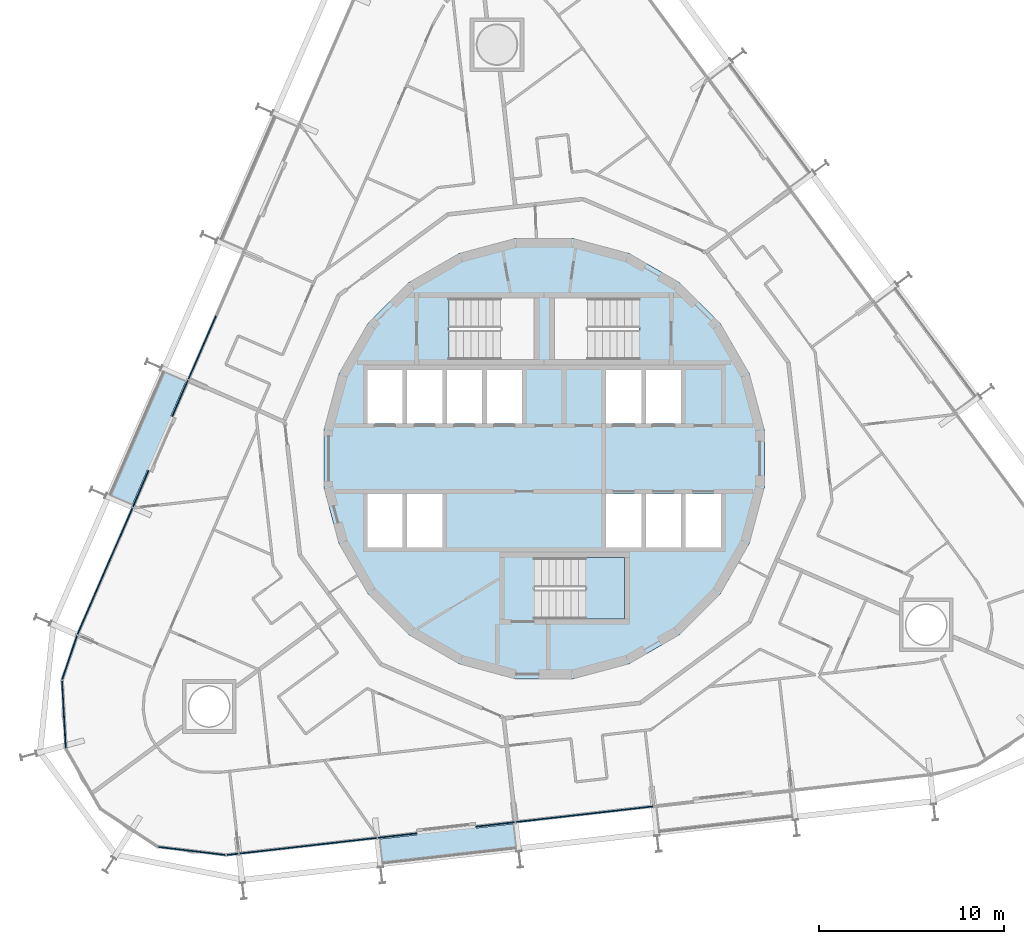
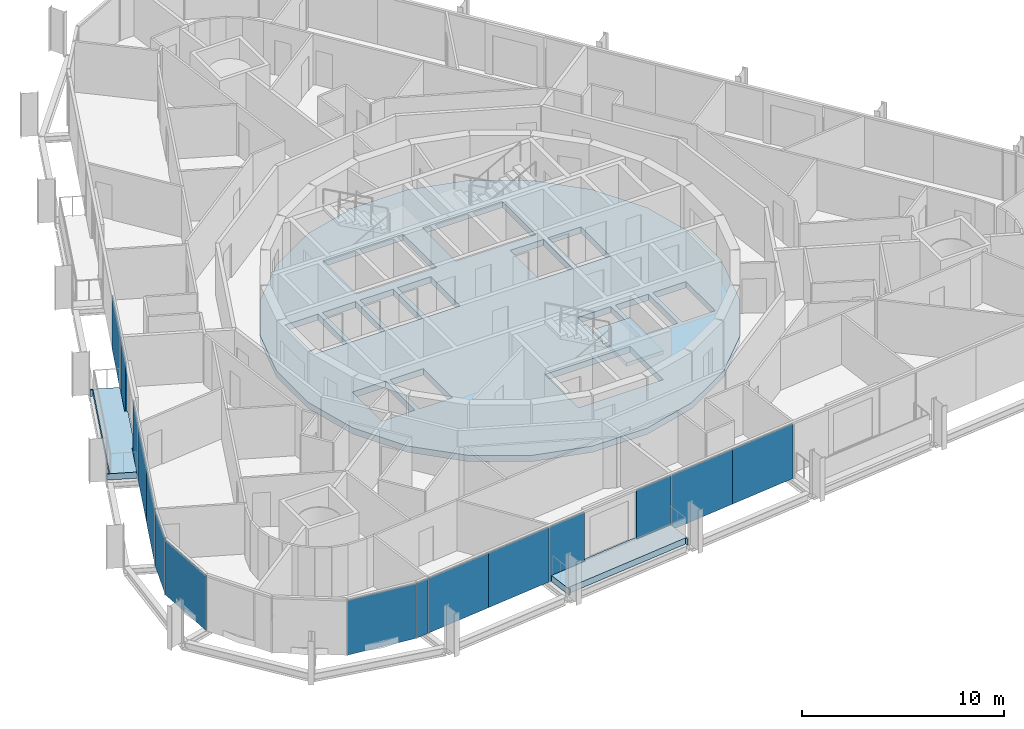
# One storey, part 13 of 23: 15 plates, 4 slabs, 4 elements without a shape of their own.
"""IFC4 building model written with IfcOpenShell, lengths in metres."""

from ifc_helpers import new_model, si_unit, direction, frame, origin, origin_2d, place, context, subcontext, project, spatial, polyline, rectangle, outline, extrude, material, layer, layer_set, type_object, element, aggregate, save


model = new_model("IFC4")

# Units and contexts
model_context = context("Model", 3, precision=1e-05, world=origin(), true_north=direction((0.0, 1.0)))
body_context = subcontext(model_context, "Body", "Model", "MODEL_VIEW")
ifc_project = project(units=[si_unit("LENGTHUNIT", "METRE"), si_unit("AREAUNIT", "SQUARE_METRE"), si_unit("VOLUMEUNIT", "CUBIC_METRE"), si_unit("PLANEANGLEUNIT", "RADIAN"), si_unit("MASSUNIT", "GRAM", prefix="KILO")], contexts=[model_context])

# Site, building, storey
site_placement = place(None, origin())
site = spatial("IfcSite", under=ifc_project, at=site_placement, CompositionType="ELEMENT")
building_placement = place(site_placement, origin())
building = spatial("IfcBuilding", under=site, at=building_placement, Name="Spindle Arch Residences", CompositionType="ELEMENT")
storey_placement = place(building_placement, frame((0.0, 0.0, 104.699951171875)))
storey = spatial("IfcBuildingStorey", under=building, at=storey_placement, Name="L25", CompositionType="ELEMENT", Elevation=104.699951171875)

# Slabs
ifc_material_1 = material(Name="Concrete C40/50", Category="concrete")
ifc_layer_1 = layer(ifc_material_1, 0.3798828125)
ifc_layer_set_1 = layer_set([ifc_layer_1], Name="Balcony slab 380")
slab_type_1 = type_object("IfcSlabType", Name="Balcony slab 380", PredefinedType="FLOOR", material=ifc_layer_set_1)
slab_1_placement = place(storey_placement, frame((0.0, 0.0, -0.3798828125)))
element("IfcSlab", 1, at=slab_1_placement, inside=storey, type_object=slab_type_1, Name="Balcony L25 bay 17", PredefinedType="FLOOR", context=body_context, shape_type="SweptSolid", body=[
    extrude(outline(polyline([(-20.702392578125, 4.820556640625), (-20.732421875, 4.751708984375), (-20.5947265625, 4.69189453125), (-23.47314453125, -1.92822265625), (-23.61083984375, -1.868408203125), (-23.640625, -1.937255859375), (-22.2744140625, -2.53125), (-21.443115234375, -0.619873046875), (-21.29638671875, -0.68359375), (-20.0205078125, 2.2509765625), (-20.167236328125, 2.314697265625), (-19.3359375, 4.226318359375), (-20.702392578125, 4.820556640625)])), origin(), (0.0, 0.0, 1.0), 0.3798828125),
])
slab_2_placement = place(storey_placement, frame((0.0, 0.0, -0.3798828125)))
element("IfcSlab", 2, at=slab_2_placement, inside=storey, type_object=slab_type_1, Name="Balcony L25 bay 23", PredefinedType="FLOOR", context=body_context, shape_type="SweptSolid", body=[
    extrude(outline(polyline([(-8.764404296875, -22.041259765625), (-8.68994140625, -22.032958984375), (-8.706787109375, -21.8837890625), (-1.534423828125, -21.066650390625), (-1.517578125, -21.215576171875), (-1.44287109375, -21.207275390625), (-1.611572265625, -19.726806640625), (-3.6826171875, -19.962646484375), (-3.70068359375, -19.8037109375), (-6.880126953125, -20.166015625), (-6.862060546875, -20.324951171875), (-8.93310546875, -20.56103515625), (-8.764404296875, -22.041259765625)])), origin(), (0.0, 0.0, 1.0), 0.3798828125),
])
ifc_material_2 = material(Name="Concrete C50/60", Category="concrete")
ifc_layer_2 = layer(ifc_material_2, 0.3798828125)
ifc_layer_set_2 = layer_set([ifc_layer_2], Name="Core floor slab 380")
slab_type_2 = type_object("IfcSlabType", Name="Core floor slab 380", PredefinedType="FLOOR", material=ifc_layer_set_2)
slab_3_placement = place(storey_placement, frame((0.0, 0.0, -0.3798828125)))
element("IfcSlab", 3, at=slab_3_placement, inside=storey, type_object=slab_type_2, Name="Core floor L25", PredefinedType="FLOOR", context=body_context, shape_type="SweptSolid", body=[
    extrude(outline(polyline([(1.56640625, -11.897216796875), (4.59228515625, -11.086669921875), (7.30517578125, -9.520263671875), (9.520263671875, -7.30517578125), (11.086669921875, -4.59228515625), (11.897216796875, -1.56640625), (11.897216796875, 1.56640625), (11.086669921875, 4.59228515625), (9.520263671875, 7.30517578125), (7.30517578125, 9.520263671875), (4.59228515625, 11.086669921875), (1.56640625, 11.897216796875), (-1.56640625, 11.897216796875), (-4.59228515625, 11.086669921875), (-7.30517578125, 9.520263671875), (-9.520263671875, 7.30517578125), (-11.086669921875, 4.59228515625), (-11.897216796875, 1.56640625), (-11.897216796875, -1.56640625), (-11.086669921875, -4.59228515625), (-9.520263671875, -7.30517578125), (-7.30517578125, -9.520263671875), (-4.59228515625, -11.086669921875), (-1.56640625, -11.897216796875), (1.56640625, -11.897216796875)]), holes=[polyline([(-9.550048828125, 1.89990234375), (-7.64990234375, 1.89990234375), (-7.64990234375, 4.800048828125), (-9.550048828125, 4.800048828125), (-9.550048828125, 1.89990234375)]), polyline([(-7.39990234375, 1.89990234375), (-5.5, 1.89990234375), (-5.5, 4.800048828125), (-7.39990234375, 4.800048828125), (-7.39990234375, 1.89990234375)]), polyline([(-5.25, 1.89990234375), (-3.35009765625, 1.89990234375), (-3.35009765625, 4.800048828125), (-5.25, 4.800048828125), (-5.25, 1.89990234375)]), polyline([(-3.10009765625, 1.89990234375), (-1.199951171875, 1.89990234375), (-1.199951171875, 4.800048828125), (-3.10009765625, 4.800048828125), (-3.10009765625, 1.89990234375)]), polyline([(3.35009765625, 1.89990234375), (5.25, 1.89990234375), (5.25, 4.800048828125), (3.35009765625, 4.800048828125), (3.35009765625, 1.89990234375)]), polyline([(5.5, 1.89990234375), (7.39990234375, 1.89990234375), (7.39990234375, 4.800048828125), (5.5, 4.800048828125), (5.5, 1.89990234375)]), polyline([(-9.550048828125, -4.800048828125), (-7.64990234375, -4.800048828125), (-7.64990234375, -1.89990234375), (-9.550048828125, -1.89990234375), (-9.550048828125, -4.800048828125)]), polyline([(-7.39990234375, -4.800048828125), (-5.5, -4.800048828125), (-5.5, -1.89990234375), (-7.39990234375, -1.89990234375), (-7.39990234375, -4.800048828125)]), polyline([(3.35009765625, -4.800048828125), (5.25, -4.800048828125), (5.25, -1.89990234375), (3.35009765625, -1.89990234375), (3.35009765625, -4.800048828125)]), polyline([(5.5, -4.800048828125), (7.39990234375, -4.800048828125), (7.39990234375, -1.89990234375), (5.5, -1.89990234375), (5.5, -4.800048828125)]), polyline([(7.64990234375, -4.800048828125), (9.550048828125, -4.800048828125), (9.550048828125, -1.89990234375), (7.64990234375, -1.89990234375), (7.64990234375, -4.800048828125)]), polyline([(5.1298828125, 8.669921875), (0.550048828125, 8.669921875), (0.550048828125, 5.35009765625), (5.1298828125, 5.35009765625), (5.1298828125, 8.669921875)]), polyline([(-5.1298828125, 5.35009765625), (-0.550048828125, 5.35009765625), (-0.550048828125, 8.669921875), (-5.1298828125, 8.669921875), (-5.1298828125, 5.35009765625)]), polyline([(-0.530029296875, -8.669921875), (4.35009765625, -8.669921875), (4.35009765625, -5.35009765625), (-0.530029296875, -5.35009765625), (-0.530029296875, -8.669921875)])]), origin(), (0.0, 0.0, 1.0), 0.3798828125),
])

# Stair, slab
ifc_material_3 = material(Name="Concrete C50/60", Category="concrete")
stair_type = type_object("IfcStairType", Name="Exit stair 16 risers", PredefinedType="HALF_TURN_STAIR", material=ifc_material_3)
stair_placement = place(storey_placement, origin())
stair = element("IfcStair", 4, at=stair_placement, inside=storey, type_object=stair_type, Name="L25 Exit stair ST3", PredefinedType="HALF_TURN_STAIR")
ifc_material_4 = material(Name="Concrete C50/60", Category="concrete")
ifc_layer_3 = layer(ifc_material_4, 0.219970703125)
ifc_layer_set_3 = layer_set([ifc_layer_3], Name="Exit stair landing 220")
slab_type_3 = type_object("IfcSlabType", Name="Exit stair landing 220", PredefinedType="LANDING", material=ifc_layer_set_3)
slab_4_placement = place(storey_placement, frame((0.0, 0.0, 1.530029296875)))
slab_4 = element("IfcSlab", 5, at=slab_4_placement, type_object=slab_type_3, Name="ST3 landing 1", PredefinedType="LANDING", context=body_context, shape_type="SweptSolid", body=[
    extrude(outline(polyline([(2.22998046875, -8.669921875), (4.35009765625, -8.669921875), (4.35009765625, -5.35009765625), (2.22998046875, -5.35009765625), (2.22998046875, -8.669921875)])), origin(), (0.0, 0.0, 1.0), 0.219970703125),
])
aggregate(stair, [slab_4])

# Curtain wall, plates
ifc_material_5 = material(Name="Aluminium bronze unitised frame with tinted glass", Category="aluminium")
ifc_layer_4 = layer(ifc_material_5, 0.159912109375)
ifc_layer_set_4 = layer_set([ifc_layer_4], Name="CW-C typical residential unitised wall")
curtain_wall_type_1 = type_object("IfcCurtainWallType", Name="CW-C typical residential unitised wall", PredefinedType="NOTDEFINED", material=ifc_layer_set_4)
curtain_wall_1_placement = place(storey_placement, origin())
curtain_wall_1 = element("IfcCurtainWall", 6, at=curtain_wall_1_placement, inside=storey, type_object=curtain_wall_type_1, Name="CW-C L25 run 4", PredefinedType="NOTDEFINED")
ifc_material_6 = material(Name="Tinted double glazing over aluminium faced non-combustible spandrel zone (K0)", Category="aluminium")
ifc_layer_5 = layer(ifc_material_6, 0.06005859375)
ifc_layer_set_5 = layer_set([ifc_layer_5], Name="Unitised glass panel with E 60 spandrel zone")
plate_type = type_object("IfcPlateType", Name="Unitised glass panel with E 60 spandrel zone", PredefinedType="CURTAIN_PANEL", material=ifc_layer_set_5)
plate_1_placement = place(storey_placement, frame((-18.477294921875, 6.000732421875, -0.3798828125), z_axis=(0.0, 0.0, 1.0), x_axis=(-0.398749068925, -0.917060074385, 0.0)))
plate_1 = element("IfcPlate", 7, at=plate_1_placement, type_object=plate_type, Name="CW-C unit 15B", PredefinedType="CURTAIN_PANEL", context=body_context, shape_type="SweptSolid", body=[
    extrude(rectangle(XDim=3.7294921875, YDim=0.06005859375, at=origin_2d()), origin(), (0.0, 0.0, 1.0), 3.31005859375),
])
plate_2_placement = place(storey_placement, frame((-19.669189453125, 3.25927734375, -0.3798828125), z_axis=(0.0, 0.0, 1.0), x_axis=(-0.398749068925, -0.917060074385, 0.0)))
plate_2 = element("IfcPlate", 8, at=plate_2_placement, type_object=plate_type, Name="CW-C unit 16L", PredefinedType="CURTAIN_PANEL", context=body_context, shape_type="SweptSolid", body=[
    extrude(rectangle(XDim=2.12939453125, YDim=0.06005859375, at=origin_2d()), origin(), (0.0, 0.0, 1.0), 3.31005859375),
])
plate_3_placement = place(storey_placement, frame((-21.79443359375, -1.628173828125, -0.3798828125), z_axis=(0.0, 0.0, 1.0), x_axis=(-0.398749068925, -0.917060074385, 0.0)))
plate_3 = element("IfcPlate", 9, at=plate_3_placement, type_object=plate_type, Name="CW-C unit 16R", PredefinedType="CURTAIN_PANEL", context=body_context, shape_type="SweptSolid", body=[
    extrude(rectangle(XDim=2.12939453125, YDim=0.06005859375, at=origin_2d()), origin(), (0.0, 0.0, 1.0), 3.31005859375),
])
plate_4_placement = place(storey_placement, frame((-22.986328125, -4.36962890625, -0.3798828125), z_axis=(0.0, 0.0, 1.0), x_axis=(-0.398749068925, -0.917060074385, 0.0)))
plate_4 = element("IfcPlate", 10, at=plate_4_placement, type_object=plate_type, Name="CW-C unit 17A", PredefinedType="CURTAIN_PANEL", context=body_context, shape_type="SweptSolid", body=[
    extrude(rectangle(XDim=3.7294921875, YDim=0.06005859375, at=origin_2d()), origin(), (0.0, 0.0, 1.0), 3.31005859375),
])
plate_5_placement = place(storey_placement, frame((-24.473388671875, -7.78955078125, -0.3798828125), z_axis=(0.0, 0.0, 1.0), x_axis=(-0.398749068925, -0.917060074385, 0.0)))
plate_5 = element("IfcPlate", 11, at=plate_5_placement, type_object=plate_type, Name="CW-C unit 17B", PredefinedType="CURTAIN_PANEL", context=body_context, shape_type="SweptSolid", body=[
    extrude(rectangle(XDim=3.7294921875, YDim=0.06005859375, at=origin_2d()), origin(), (0.0, 0.0, 1.0), 3.31005859375),
])
aggregate(curtain_wall_1, [plate_1, plate_2, plate_3, plate_4, plate_5])

ifc_material_7 = material(Name="Aluminium bronze unitised frame with tinted glass", Category="aluminium")
ifc_layer_6 = layer(ifc_material_7, 0.159912109375)
ifc_layer_set_6 = layer_set([ifc_layer_6], Name="CW-D corner wall on the fillet arcs")
curtain_wall_type_2 = type_object("IfcCurtainWallType", Name="CW-D corner wall on the fillet arcs", PredefinedType="NOTDEFINED", material=ifc_layer_set_6)
curtain_wall_2_placement = place(storey_placement, origin())
curtain_wall_2 = element("IfcCurtainWall", 12, at=curtain_wall_2_placement, inside=storey, type_object=curtain_wall_type_2, Name="CW-D L25 run 5", PredefinedType="NOTDEFINED")
plate_6_placement = place(storey_placement, frame((-25.640380859375, -10.746826171875, -0.3798828125), z_axis=(0.0, 0.0, 1.0), x_axis=(-0.319727106941, -0.947509671237, 0.0)))
plate_6 = element("IfcPlate", 13, at=plate_6_placement, type_object=plate_type, Name="CW-D unit 00", PredefinedType="CURTAIN_PANEL", context=body_context, shape_type="SweptSolid", body=[
    extrude(rectangle(XDim=2.51416015625, YDim=0.06005859375, at=origin_2d()), origin(), (0.0, 0.0, 1.0), 3.31005859375),
])
plate_7_placement = place(storey_placement, frame((-25.948974609375, -13.82666015625, -0.3798828125), z_axis=(0.0, 0.0, 1.0), x_axis=(0.055240622495, -0.998473071057, 0.0)))
plate_7 = element("IfcPlate", 14, at=plate_7_placement, type_object=plate_type, Name="CW-D unit 01", PredefinedType="CURTAIN_PANEL", context=body_context, shape_type="SweptSolid", body=[
    extrude(rectangle(XDim=3.666748046875, YDim=0.06005859375, at=origin_2d()), origin(), (0.0, 0.0, 1.0), 3.31005859375),
])
plate_8_placement = place(storey_placement, frame((-19.034423828125, -21.19873046875, -0.3798828125), z_axis=(0.0, 0.0, 1.0), x_axis=(0.992896454881, -0.118981636756, 0.0)))
plate_8 = element("IfcPlate", 15, at=plate_8_placement, type_object=plate_type, Name="CW-D unit 04", PredefinedType="CURTAIN_PANEL", context=body_context, shape_type="SweptSolid", body=[
    extrude(rectangle(XDim=3.666748046875, YDim=0.06005859375, at=origin_2d()), origin(), (0.0, 0.0, 1.0), 3.31005859375),
])
plate_9_placement = place(storey_placement, frame((-16.835693359375, -21.380859375, -0.3798828125), z_axis=(0.0, 0.0, 1.0), x_axis=(0.993571855677, 0.113203213768, 0.0)))
plate_9 = element("IfcPlate", 16, at=plate_9_placement, type_object=plate_type, Name="CW-D unit 05", PredefinedType="CURTAIN_PANEL", context=body_context, shape_type="SweptSolid", body=[
    extrude(rectangle(XDim=0.6416015625, YDim=0.06005859375, at=origin_2d()), origin(), (0.0, 0.0, 1.0), 3.31005859375),
])
aggregate(curtain_wall_2, [plate_6, plate_7, plate_8, plate_9])

curtain_wall_3_placement = place(storey_placement, origin())
curtain_wall_3 = element("IfcCurtainWall", 17, at=curtain_wall_3_placement, inside=storey, type_object=curtain_wall_type_1, Name="CW-C L25 run 6", PredefinedType="NOTDEFINED")
plate_10_placement = place(storey_placement, frame((-14.604736328125, -21.126708984375, -0.3798828125), z_axis=(0.0, 0.0, 1.0), x_axis=(0.993571855677, 0.113203213768, 0.0)))
plate_10 = element("IfcPlate", 18, at=plate_10_placement, type_object=plate_type, Name="CW-C unit 21A", PredefinedType="CURTAIN_PANEL", context=body_context, shape_type="SweptSolid", body=[
    extrude(rectangle(XDim=3.7294921875, YDim=0.06005859375, at=origin_2d()), origin(), (0.0, 0.0, 1.0), 3.31005859375),
])
plate_11_placement = place(storey_placement, frame((-10.899169921875, -20.704345703125, -0.3798828125), z_axis=(0.0, 0.0, 1.0), x_axis=(0.993571855677, 0.113203213768, 0.0)))
plate_11 = element("IfcPlate", 19, at=plate_11_placement, type_object=plate_type, Name="CW-C unit 21B", PredefinedType="CURTAIN_PANEL", context=body_context, shape_type="SweptSolid", body=[
    extrude(rectangle(XDim=3.7294921875, YDim=0.06005859375, at=origin_2d()), origin(), (0.0, 0.0, 1.0), 3.31005859375),
])
plate_12_placement = place(storey_placement, frame((-7.928955078125, -20.365966796875, -0.3798828125), z_axis=(0.0, 0.0, 1.0), x_axis=(0.993571855677, 0.113203213768, 0.0)))
plate_12 = element("IfcPlate", 20, at=plate_12_placement, type_object=plate_type, Name="CW-C unit 22L", PredefinedType="CURTAIN_PANEL", context=body_context, shape_type="SweptSolid", body=[
    extrude(rectangle(XDim=2.12939453125, YDim=0.06005859375, at=origin_2d()), origin(), (0.0, 0.0, 1.0), 3.31005859375),
])
plate_13_placement = place(storey_placement, frame((-2.6337890625, -19.7626953125, -0.3798828125), z_axis=(0.0, 0.0, 1.0), x_axis=(0.993571855677, 0.113203213768, 0.0)))
plate_13 = element("IfcPlate", 21, at=plate_13_placement, type_object=plate_type, Name="CW-C unit 22R", PredefinedType="CURTAIN_PANEL", context=body_context, shape_type="SweptSolid", body=[
    extrude(rectangle(XDim=2.12939453125, YDim=0.06005859375, at=origin_2d()), origin(), (0.0, 0.0, 1.0), 3.31005859375),
])
plate_14_placement = place(storey_placement, frame((0.33642578125, -19.42431640625, -0.3798828125), z_axis=(0.0, 0.0, 1.0), x_axis=(0.993571855677, 0.113203213768, 0.0)))
plate_14 = element("IfcPlate", 22, at=plate_14_placement, type_object=plate_type, Name="CW-C unit 23A", PredefinedType="CURTAIN_PANEL", context=body_context, shape_type="SweptSolid", body=[
    extrude(rectangle(XDim=3.7294921875, YDim=0.06005859375, at=origin_2d()), origin(), (0.0, 0.0, 1.0), 3.31005859375),
])
plate_15_placement = place(storey_placement, frame((4.041748046875, -19.002197265625, -0.3798828125), z_axis=(0.0, 0.0, 1.0), x_axis=(0.993571855677, 0.113203213768, 0.0)))
plate_15 = element("IfcPlate", 23, at=plate_15_placement, type_object=plate_type, Name="CW-C unit 23B", PredefinedType="CURTAIN_PANEL", context=body_context, shape_type="SweptSolid", body=[
    extrude(rectangle(XDim=3.7294921875, YDim=0.06005859375, at=origin_2d()), origin(), (0.0, 0.0, 1.0), 3.31005859375),
])
aggregate(curtain_wall_3, [plate_10, plate_11, plate_12, plate_13, plate_14, plate_15])

save(model, "model.ifc")
